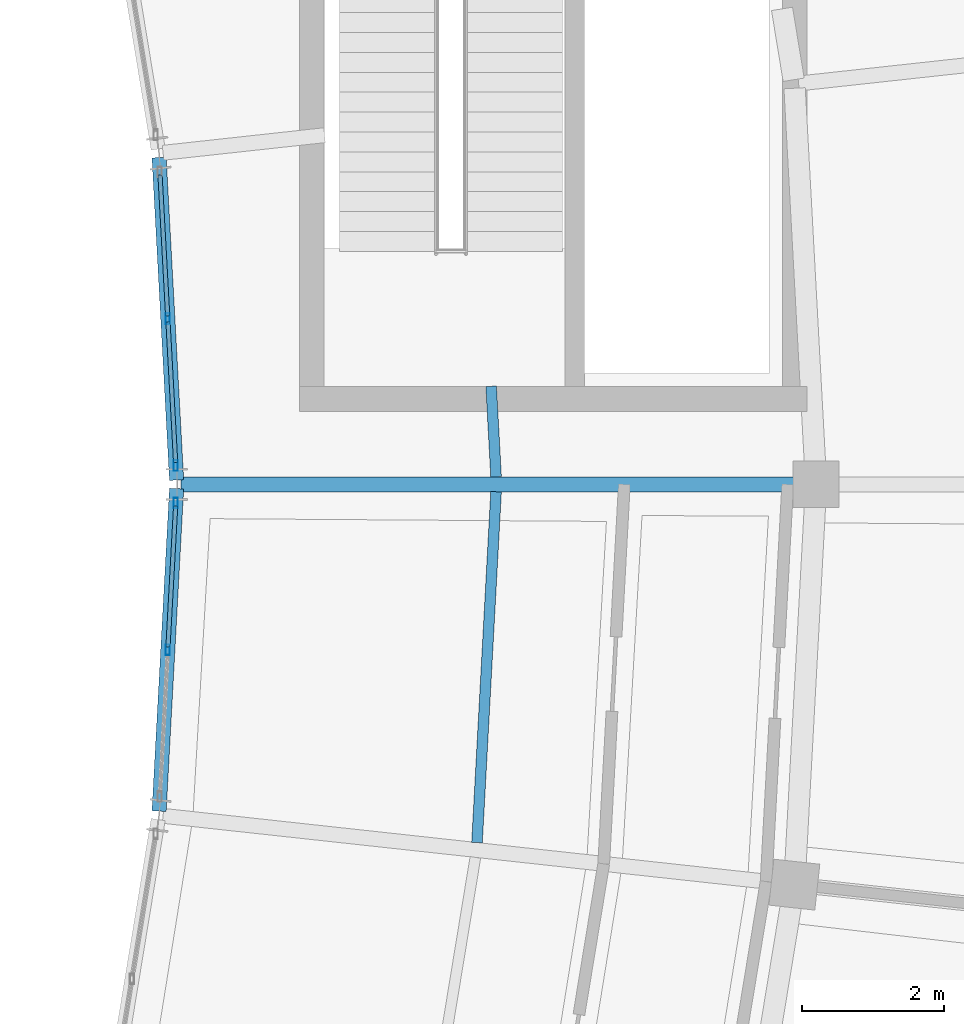
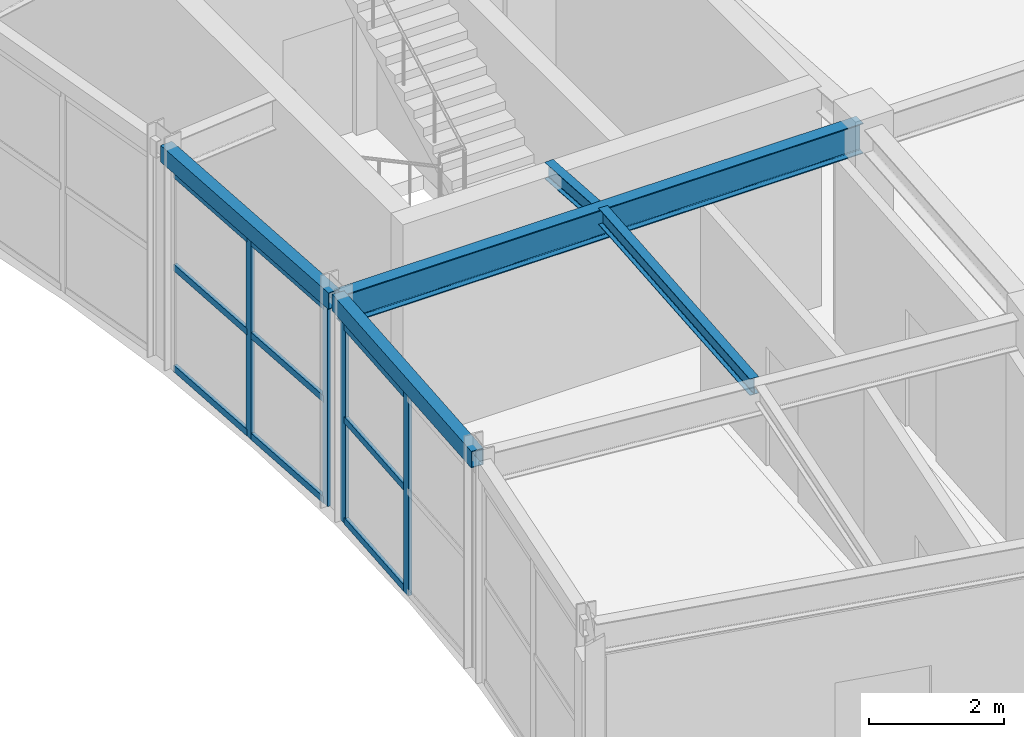
# One storey, part 30 of 63: 13 members, 5 beams, 2 elements without a shape of their own.
"""IFC4 building model written with IfcOpenShell, lengths in metres."""

import ifcopenshell
import ifcopenshell.guid

model = None  # the IFC model being written
_history = None  # IfcOwnerHistory: only IFC2X3 demands one
_inside = {}  # id of a spatial element -> (the spatial element, [elements in it])
_under = {}  # id of a project, library or spatial element -> (it, [spatial elements below it])
_declared = {}  # id of a project -> (the project, [libraries it declares])
_typed = {}  # id of a type object -> (the type object, [elements of that type])
_made_of = {}  # id of a material, layer set ... -> (it, [elements and type objects made of it])


def new_model(schema):
    """Start an empty IFC model of exactly this schema.

    Asked for "IFC4X3", IfcOpenShell would pick the latest addendum, in which some entities
    have other attributes; the version numbers below select the first issue.
    IFC2X3 requires an IfcOwnerHistory on every rooted entity: one is made here for all.
    """
    global model, _history
    if schema == "IFC4X3":
        model = ifcopenshell.file(schema_version=(4, 3, 0, 0))
    else:
        model = ifcopenshell.file(schema=schema)
    _inside.clear()
    _under.clear()
    _declared.clear()
    _typed.clear()
    _made_of.clear()
    _history = None
    if model.schema == "IFC2X3":
        org = make("IfcOrganization", Name="unknown")
        user = make(
            "IfcPersonAndOrganization",
            ThePerson=make("IfcPerson", FamilyName="unknown"),
            TheOrganization=org,
        )
        app = make(
            "IfcApplication",
            ApplicationDeveloper=org,
            Version="unknown",
            ApplicationFullName="unknown",
            ApplicationIdentifier="unknown",
        )
        _history = make(
            "IfcOwnerHistory",
            OwningUser=user,
            OwningApplication=app,
            ChangeAction="ADDED",
            CreationDate=0,
        )
    return model


def make(cls, **values):
    """One entity of the class cls with the attributes given. An attribute that is None is left unset."""
    return model.create_entity(
        cls, **{name: value for name, value in values.items() if value is not None}
    )


def rooted(cls, **values):
    """An entity with a GlobalId (a new one), such as an element, a storey or a relation."""
    return make(cls, GlobalId=ifcopenshell.guid.new(), OwnerHistory=_history, **values)


def si_unit(unit_type, name, prefix=None):
    """IfcSIUnit, for example si_unit("LENGTHUNIT", "METRE", prefix="MILLI")."""
    return make("IfcSIUnit", UnitType=unit_type, Prefix=prefix, Name=name)


def assignment(units):
    """IfcUnitAssignment: the units of a project."""
    return None if units is None else make("IfcUnitAssignment", Units=units)


def point(xyz):
    """IfcCartesianPoint."""
    return None if xyz is None else make("IfcCartesianPoint", Coordinates=xyz)


def direction(xyz):
    """IfcDirection."""
    return None if xyz is None else make("IfcDirection", DirectionRatios=xyz)


def frame(location, z_axis=None, x_axis=None):
    """IfcAxis2Placement3D, a coordinate frame: its origin and axes. An axis left out is left unset."""
    return make(
        "IfcAxis2Placement3D",
        Location=point(location),
        Axis=direction(z_axis),
        RefDirection=direction(x_axis),
    )


def frame_2d(location, x_axis=None):
    """IfcAxis2Placement2D, a coordinate frame in the plane: its origin and x axis."""
    return make(
        "IfcAxis2Placement2D", Location=point(location), RefDirection=direction(x_axis)
    )


def origin():
    """The frame at (0, 0, 0) with its axes left unset."""
    return frame((0.0, 0.0, 0.0))


def origin_2d():
    """The frame at (0, 0) in the plane with its x axis left unset."""
    return frame_2d((0.0, 0.0))


def place(relative_to, where):
    """IfcLocalPlacement: puts the frame where relative to a parent placement (None: the world)."""
    return make(
        "IfcLocalPlacement", PlacementRelTo=relative_to, RelativePlacement=where
    )


def context(
    kind, dimensions, precision=None, world=None, true_north=None, identifier=None
):
    """IfcGeometricRepresentationContext, for example the 3D "Model" context."""
    return make(
        "IfcGeometricRepresentationContext",
        ContextIdentifier=identifier,
        ContextType=kind,
        CoordinateSpaceDimension=dimensions,
        Precision=precision,
        WorldCoordinateSystem=world,
        TrueNorth=true_north,
    )


def subcontext(parent, identifier, kind, view, scale=None):
    """IfcGeometricRepresentationSubContext, for example "Body" below "Model"."""
    return make(
        "IfcGeometricRepresentationSubContext",
        ContextIdentifier=identifier,
        ContextType=kind,
        ParentContext=parent,
        TargetScale=scale,
        TargetView=view,
    )


def project(units=None, contexts=None):
    """IfcProject with its units and contexts."""
    return rooted(
        "IfcProject",
        Name="project",
        RepresentationContexts=contexts,
        UnitsInContext=assignment(units),
    )


def spatial(cls, under=None, at=None, **own):
    """A site, building, storey or space (cls), placed at a placement, below another one or the project."""
    s = rooted(cls, ObjectPlacement=at, **own)
    if under is not None:
        _under.setdefault(under.id(), (under, []))[1].append(s)
    return s


def profile(cls, at=None, kind="AREA", **sizes):
    """A parametric profile (cls). Its sizes go by their IFC names, for example OverallWidth=200.0."""
    return make(cls, ProfileType=kind, Position=at, **sizes)


def hollow_rectangle(**sizes):
    """IfcRectangleHollowProfileDef."""
    return profile("IfcRectangleHollowProfileDef", **sizes)


def i_section(**sizes):
    """IfcIShapeProfileDef."""
    return profile("IfcIShapeProfileDef", **sizes)


def extrude(swept, where, along, depth):
    """IfcExtrudedAreaSolid: the profile swept, set in the frame where, extruded along a direction by depth."""
    return make(
        "IfcExtrudedAreaSolid",
        SweptArea=swept,
        Position=where,
        ExtrudedDirection=direction(along),
        Depth=depth,
    )


def shape(context_of_items, identifier, shape_type, items):
    """IfcShapeRepresentation: the items that make up one representation, for example the "Body"."""
    return make(
        "IfcShapeRepresentation",
        ContextOfItems=context_of_items,
        RepresentationIdentifier=identifier,
        RepresentationType=shape_type,
        Items=items,
    )


def material(Name=None, Category=None):
    """IfcMaterial."""
    return make("IfcMaterial", Name=Name, Category=Category)


def material_profile(
    of_material, cross_section, Name=None, Category=None, Priority=None
):
    """IfcMaterialProfile: a cross section and its material."""
    return make(
        "IfcMaterialProfile",
        Name=Name,
        Material=of_material,
        Profile=cross_section,
        Priority=Priority,
        Category=Category,
    )


def profile_set(profiles, Name=None, composite=None):
    """IfcMaterialProfileSet."""
    return make(
        "IfcMaterialProfileSet",
        Name=Name,
        MaterialProfiles=profiles,
        CompositeProfile=composite,
    )


def made_of(thing, what):
    """Note that an element or type object is made of a material, layer set ...; save() writes the relation."""
    if what is not None:
        _made_of.setdefault(what.id(), (what, []))[1].append(thing)
    return thing


def type_object(cls, material=None, **own):
    """A type object (cls), such as IfcWallType, which elements share."""
    return made_of(rooted(cls, **own), material)


def element(
    cls,
    number,
    at=None,
    inside=None,
    cuts=None,
    type_object=None,
    material=None,
    context=None,
    identifier="Body",
    shape_type=None,
    held_by="IfcProductDefinitionShape",
    body=None,
    shapes=None,
    **own,
):
    """One element of the class cls, such as IfcWall. Its Tag is "e" and its number.

    at: its placement. inside: the storey or other place that contains it. cuts: it is an
    opening in that element (IfcRelVoidsElement). A single representation is given by context,
    identifier, shape_type and body (its items); several are given by shapes. held_by: the class
    of the entity that holds the representations. save() writes the other relations.
    """
    e = rooted(cls, Tag="e%d" % number, ObjectPlacement=at, **own)
    if body is not None:
        shapes = [shape(context, identifier, shape_type, body)]
    if shapes is not None:
        e.Representation = make(held_by, Representations=shapes)
    if inside is not None:
        _inside.setdefault(inside.id(), (inside, []))[1].append(e)
    if cuts is not None:
        rooted(
            "IfcRelVoidsElement", RelatingBuildingElement=cuts, RelatedOpeningElement=e
        )
    if type_object is not None:
        _typed.setdefault(type_object.id(), (type_object, []))[1].append(e)
    return made_of(e, material)


def aggregate(whole, parts):
    """IfcRelAggregates: a whole, such as a stair, and the parts it consists of."""
    return rooted("IfcRelAggregates", RelatingObject=whole, RelatedObjects=parts)


def save(model, path):
    """Write the relations noted so far, then the file.

    IfcRelAggregates (storeys below a building ...), IfcRelContainedInSpatialStructure (elements
    in a storey), IfcRelDefinesByType, IfcRelAssociatesMaterial and IfcRelDeclares: one each for
    every whole, place, type object, material and project.
    """
    for whole, parts in _under.values():
        aggregate(whole, parts)
    for where, things in _inside.values():
        rooted(
            "IfcRelContainedInSpatialStructure",
            RelatedElements=things,
            RelatingStructure=where,
        )
    for kind, things in _typed.values():
        rooted("IfcRelDefinesByType", RelatedObjects=things, RelatingType=kind)
    for what, things in _made_of.values():
        rooted("IfcRelAssociatesMaterial", RelatedObjects=things, RelatingMaterial=what)
    for by, libraries in _declared.values():
        rooted("IfcRelDeclares", RelatingContext=by, RelatedDefinitions=libraries)
    model.write(path)


model = new_model("IFC4")

# Units and contexts
model_context = context("Model", 3, precision=1e-05, world=origin(), true_north=direction((0.0, 1.0)))
body_context = subcontext(model_context, "Body", "Model", "MODEL_VIEW")
ifc_project = project(units=[si_unit("LENGTHUNIT", "METRE"), si_unit("AREAUNIT", "SQUARE_METRE"), si_unit("VOLUMEUNIT", "CUBIC_METRE"), si_unit("PLANEANGLEUNIT", "RADIAN"), si_unit("MASSUNIT", "GRAM", prefix="KILO")], contexts=[model_context])

# Site, building, storey
site_placement = place(None, origin())
site = spatial("IfcSite", under=ifc_project, at=site_placement, CompositionType="ELEMENT")
building_placement = place(site_placement, origin())
building = spatial("IfcBuilding", under=site, at=building_placement, Name="Tarnveldt Headland Concert Hall", CompositionType="ELEMENT")
storey_placement = place(building_placement, frame((0.0, 0.0, 14.39990234375)))
storey = spatial("IfcBuildingStorey", under=building, at=storey_placement, Name="L03", CompositionType="ELEMENT", Elevation=14.39990234375)

# Curtain wall, members
ifc_material_1 = material(Name="Marine-anodised aluminium EN AW-6063-T6", Category="aluminium")
curtain_wall_type = type_object("IfcCurtainWallType", Name="CW-C4", PredefinedType="NOTDEFINED", material=ifc_material_1)
curtain_wall_1_placement = place(storey_placement, origin())
curtain_wall_1 = element("IfcCurtainWall", 1, at=curtain_wall_1_placement, inside=storey, type_object=curtain_wall_type, Name="Curtain wall CW-L03-137", PredefinedType="NOTDEFINED")
ifc_material_profile_1 = material_profile(ifc_material_1, hollow_rectangle(XDim=0.06005859375, YDim=0.14990234375, WallThickness=0.00390625, at=origin_2d()), Name="ALU MULLION 60x150x4", Category="aluminium")
ifc_profile_set_1 = profile_set([ifc_material_profile_1], Name="Marine-anodised aluminium EN AW-6063-T6")
member_type_1 = type_object("IfcMemberType", Name="ML-150", PredefinedType="MULLION", material=ifc_profile_set_1)
member_1_placement = place(storey_placement, frame((160.373291015625, 57.669677734375, 0.0), z_axis=(0.0, 0.0, 1.0), x_axis=(1.0, 0.0, 0.0)))
member_1 = element("IfcMember", 2, at=member_1_placement, type_object=member_type_1, Name="Mullion CW-L03-137-2", PredefinedType="MULLION", context=body_context, shape_type="SweptSolid", body=[
    extrude(hollow_rectangle(XDim=0.06005859375, YDim=0.14990234375, WallThickness=0.00390625, at=origin_2d()), origin(), (0.0, 0.0, 1.0), 3.60009765625),
])
member_2_placement = place(storey_placement, frame((160.485595703125, 59.7353515625, 0.0), z_axis=(0.0, 0.0, 1.0), x_axis=(1.0, 0.0, 0.0)))
member_2 = element("IfcMember", 3, at=member_2_placement, type_object=member_type_1, Name="Mullion CW-L03-137-3", PredefinedType="MULLION", context=body_context, shape_type="SweptSolid", body=[
    extrude(hollow_rectangle(XDim=0.06005859375, YDim=0.14990234375, WallThickness=0.00390625, at=origin_2d()), origin(), (0.0, 0.0, 1.0), 3.60009765625),
])

curtain_wall_2_placement = place(storey_placement, origin())
curtain_wall_2 = element("IfcCurtainWall", 4, at=curtain_wall_2_placement, inside=storey, type_object=curtain_wall_type, Name="Curtain wall CW-L03-138", PredefinedType="NOTDEFINED")
member_3_placement = place(storey_placement, frame((160.485595703125, 60.2646484375, 0.0), z_axis=(0.0, 0.0, 1.0), x_axis=(1.0, 0.0, 0.0)))
member_3 = element("IfcMember", 5, at=member_3_placement, type_object=member_type_1, Name="Mullion CW-L03-138-1", PredefinedType="MULLION", context=body_context, shape_type="SweptSolid", body=[
    extrude(hollow_rectangle(XDim=0.06005859375, YDim=0.14990234375, WallThickness=0.00390625, at=origin_2d()), origin(), (0.0, 0.0, 1.0), 3.60009765625),
])
member_4_placement = place(storey_placement, frame((160.373291015625, 62.330322265625, 0.0), z_axis=(0.0, 0.0, 1.0), x_axis=(1.0, 0.0, 0.0)))
member_4 = element("IfcMember", 6, at=member_4_placement, type_object=member_type_1, Name="Mullion CW-L03-138-2", PredefinedType="MULLION", context=body_context, shape_type="SweptSolid", body=[
    extrude(hollow_rectangle(XDim=0.06005859375, YDim=0.14990234375, WallThickness=0.00390625, at=origin_2d()), origin(), (0.0, 0.0, 1.0), 3.60009765625),
])

# Beams
ifc_material_2 = material(Name="Steel S355", Category="steel")
ifc_material_profile_2 = material_profile(ifc_material_2, i_section(OverallWidth=0.14990234375, OverallDepth=0.300048828125, WebThickness=0.007080078125, FlangeThickness=0.0107421875, FilletRadius=0.014892578125, at=origin_2d()), Name="IPE300", Category="steel")
ifc_profile_set_2 = profile_set([ifc_material_profile_2], Name="Steel S355")
beam_type_1 = type_object("IfcBeamType", Name="SB-IPE300", PredefinedType="JOIST", material=ifc_profile_set_2)
beam_1_placement = place(storey_placement, frame((164.725830078125, 54.95654296875, 3.85498046875), z_axis=(0.054297162642, 0.998524820988, 0.0), x_axis=(-0.998524820988, 0.054297162642, 0.0)))
element("IfcBeam", 7, at=beam_1_placement, inside=storey, type_object=beam_type_1, Name="Framing beam L03-1264", PredefinedType="JOIST", context=body_context, shape_type="SweptSolid", body=[
    extrude(i_section(OverallWidth=0.14990234375, OverallDepth=0.300048828125, WebThickness=0.007080078125, FlangeThickness=0.0107421875, FilletRadius=0.014892578125, at=origin_2d()), origin(), (0.0, 0.0, 1.0), 4.946044921875),
])
beam_2_placement = place(storey_placement, frame((164.994384765625, 60.104736328125, 3.81005859375), z_axis=(-0.05429467501, 0.998524956256, 0.0), x_axis=(-0.998524956256, -0.05429467501, 0.0)))
element("IfcBeam", 8, at=beam_2_placement, inside=storey, type_object=beam_type_1, Name="Framing beam L03-1271", PredefinedType="JOIST", context=body_context, shape_type="SweptSolid", body=[
    extrude(i_section(OverallWidth=0.14990234375, OverallDepth=0.300048828125, WebThickness=0.007080078125, FlangeThickness=0.0107421875, FilletRadius=0.014892578125, at=origin_2d()), origin(), (0.0, 0.0, 1.0), 1.277099609375),
])
ifc_material_profile_3 = material_profile(ifc_material_2, i_section(OverallWidth=0.2099609375, OverallDepth=0.550048828125, WebThickness=0.010986328125, FlangeThickness=0.01708984375, FilletRadius=0.02392578125, at=origin_2d()), Name="IPE550", Category="steel")
ifc_profile_set_3 = profile_set([ifc_material_profile_3], Name="Steel S355")
beam_type_2 = type_object("IfcBeamType", Name="SB-IPE550", PredefinedType="BEAM", material=ifc_profile_set_3)
beam_3_placement = place(storey_placement, frame((160.56005859375, 60.0, 3.68505859375), z_axis=(1.0, 0.0, 0.0), x_axis=(0.0, 1.0, 0.0)))
element("IfcBeam", 9, at=beam_3_placement, inside=storey, type_object=beam_type_2, Name="Framing beam L03-1266", PredefinedType="BEAM", context=body_context, shape_type="SweptSolid", body=[
    extrude(i_section(OverallWidth=0.2099609375, OverallDepth=0.550048828125, WebThickness=0.010986328125, FlangeThickness=0.01708984375, FilletRadius=0.02392578125, at=origin_2d()), origin(), (0.0, 0.0, 1.0), 8.8798828125),
])
ifc_material_profile_4 = material_profile(ifc_material_2, hollow_rectangle(XDim=0.199951171875, YDim=0.300048828125, WallThickness=0.012451171875, at=origin_2d()), Name="RHS 300x200x12.5", Category="steel")
ifc_profile_set_4 = profile_set([ifc_material_profile_4], Name="Steel S355")
beam_type_3 = type_object("IfcBeamType", Name="SB-RHS300", PredefinedType="SPANDREL", material=ifc_profile_set_4)
for number, where, z_axis, x_axis, name in (
    (10, (160.25, 55.3994140625, 3.85498046875), (0.05422410232, 0.998528791136, 0.0), (-0.998528791136, 0.05422410232, 0.0), "Framing beam L03-1261"),
    (11, (160.49658203125, 60.059814453125, 3.81005859375), (-0.05422410232, 0.998528791136, 0.0), (-0.998528791136, -0.05422410232, 0.0), "Framing beam L03-1268"),
):
    element("IfcBeam", number, at=place(storey_placement, frame(where, z_axis=z_axis, x_axis=x_axis)), inside=storey, type_object=beam_type_3, Name=name, PredefinedType="SPANDREL", context=body_context, shape_type="SweptSolid", body=[
        extrude(hollow_rectangle(XDim=0.199951171875, YDim=0.300048828125, WallThickness=0.012451171875, at=origin_2d()), origin(), (0.0, 0.0, 1.0), 4.54736328125),
    ])

# Member
ifc_material_profile_5 = material_profile(ifc_material_1, hollow_rectangle(XDim=0.06005859375, YDim=0.1201171875, WallThickness=0.00390625, at=origin_2d()), Name="ALU TRANSOM 60x120x4", Category="aluminium")
ifc_profile_set_5 = profile_set([ifc_material_profile_5], Name="Marine-anodised aluminium EN AW-6063-T6")
member_type_2 = type_object("IfcMemberType", Name="TR-110", PredefinedType="MEMBER", material=ifc_profile_set_5)
member_5_placement = place(storey_placement, frame((160.37548828125, 57.711669921875, 0.050048828125), z_axis=(0.054366384096, 0.9985210545, 0.0), x_axis=(-0.9985210545, 0.054366384096, 0.0)))
member_5 = element("IfcMember", 12, at=member_5_placement, type_object=member_type_2, Name="Transom CW-L03-137-2-1", PredefinedType="MEMBER", context=body_context, shape_type="SweptSolid", body=[
    extrude(hollow_rectangle(XDim=0.06005859375, YDim=0.1201171875, WallThickness=0.00390625, at=origin_2d()), origin(), (0.0, 0.0, 1.0), 1.98486328125),
])

member_6_placement = place(storey_placement, frame((160.37548828125, 57.711669921875, 1.8720703125), z_axis=(0.054366384096, 0.9985210545, 0.0), x_axis=(-0.9985210545, 0.054366384096, 0.0)))
member_6 = element("IfcMember", 13, at=member_6_placement, type_object=member_type_2, Name="Transom CW-L03-137-2-2", PredefinedType="MEMBER", context=body_context, shape_type="SweptSolid", body=[
    extrude(hollow_rectangle(XDim=0.06005859375, YDim=0.1201171875, WallThickness=0.00390625, at=origin_2d()), origin(), (0.0, 0.0, 1.0), 1.98486328125),
])

member_7_placement = place(storey_placement, frame((160.37548828125, 57.711669921875, 3.550048828125), z_axis=(0.054366384096, 0.9985210545, 0.0), x_axis=(-0.9985210545, 0.054366384096, 0.0)))
member_7 = element("IfcMember", 14, at=member_7_placement, type_object=member_type_2, Name="Transom CW-L03-137-2-3", PredefinedType="MEMBER", context=body_context, shape_type="SweptSolid", body=[
    extrude(hollow_rectangle(XDim=0.06005859375, YDim=0.1201171875, WallThickness=0.00390625, at=origin_2d()), origin(), (0.0, 0.0, 1.0), 1.98486328125),
])

aggregate(curtain_wall_1, [member_1, member_2, member_5, member_6, member_7])

member_8_placement = place(storey_placement, frame((160.4833984375, 60.306396484375, 0.050048828125), z_axis=(-0.054366384096, 0.9985210545, 0.0), x_axis=(-0.9985210545, -0.054366384096, 0.0)))
member_8 = element("IfcMember", 15, at=member_8_placement, type_object=member_type_2, Name="Transom CW-L03-138-1-1", PredefinedType="MEMBER", context=body_context, shape_type="SweptSolid", body=[
    extrude(hollow_rectangle(XDim=0.06005859375, YDim=0.1201171875, WallThickness=0.00390625, at=origin_2d()), origin(), (0.0, 0.0, 1.0), 1.98486328125),
])

member_9_placement = place(storey_placement, frame((160.4833984375, 60.306396484375, 1.8720703125), z_axis=(-0.054366384096, 0.9985210545, 0.0), x_axis=(-0.9985210545, -0.054366384096, 0.0)))
member_9 = element("IfcMember", 16, at=member_9_placement, type_object=member_type_2, Name="Transom CW-L03-138-1-2", PredefinedType="MEMBER", context=body_context, shape_type="SweptSolid", body=[
    extrude(hollow_rectangle(XDim=0.06005859375, YDim=0.1201171875, WallThickness=0.00390625, at=origin_2d()), origin(), (0.0, 0.0, 1.0), 1.98486328125),
])

member_10_placement = place(storey_placement, frame((160.4833984375, 60.306396484375, 3.550048828125), z_axis=(-0.054366384096, 0.9985210545, 0.0), x_axis=(-0.9985210545, -0.054366384096, 0.0)))
member_10 = element("IfcMember", 17, at=member_10_placement, type_object=member_type_2, Name="Transom CW-L03-138-1-3", PredefinedType="MEMBER", context=body_context, shape_type="SweptSolid", body=[
    extrude(hollow_rectangle(XDim=0.06005859375, YDim=0.1201171875, WallThickness=0.00390625, at=origin_2d()), origin(), (0.0, 0.0, 1.0), 1.98486328125),
])

member_11_placement = place(storey_placement, frame((160.37109375, 62.372314453125, 0.050048828125), z_axis=(-0.054250408618, 0.998527362251, 0.0), x_axis=(-0.998527362251, -0.054250408618, 0.0)))
member_11 = element("IfcMember", 18, at=member_11_placement, type_object=member_type_2, Name="Transom CW-L03-138-2-1", PredefinedType="MEMBER", context=body_context, shape_type="SweptSolid", body=[
    extrude(hollow_rectangle(XDim=0.06005859375, YDim=0.1201171875, WallThickness=0.00390625, at=origin_2d()), origin(), (0.0, 0.0, 1.0), 1.984619140625),
])

member_12_placement = place(storey_placement, frame((160.37109375, 62.372314453125, 1.8720703125), z_axis=(-0.054250408618, 0.998527362251, 0.0), x_axis=(-0.998527362251, -0.054250408618, 0.0)))
member_12 = element("IfcMember", 19, at=member_12_placement, type_object=member_type_2, Name="Transom CW-L03-138-2-2", PredefinedType="MEMBER", context=body_context, shape_type="SweptSolid", body=[
    extrude(hollow_rectangle(XDim=0.06005859375, YDim=0.1201171875, WallThickness=0.00390625, at=origin_2d()), origin(), (0.0, 0.0, 1.0), 1.984619140625),
])

member_13_placement = place(storey_placement, frame((160.37109375, 62.372314453125, 3.550048828125), z_axis=(-0.054250408618, 0.998527362251, 0.0), x_axis=(-0.998527362251, -0.054250408618, 0.0)))
member_13 = element("IfcMember", 20, at=member_13_placement, type_object=member_type_2, Name="Transom CW-L03-138-2-3", PredefinedType="MEMBER", context=body_context, shape_type="SweptSolid", body=[
    extrude(hollow_rectangle(XDim=0.06005859375, YDim=0.1201171875, WallThickness=0.00390625, at=origin_2d()), origin(), (0.0, 0.0, 1.0), 1.984619140625),
])

aggregate(curtain_wall_2, [member_3, member_4, member_8, member_9, member_10, member_11, member_12, member_13])

save(model, "model.ifc")
